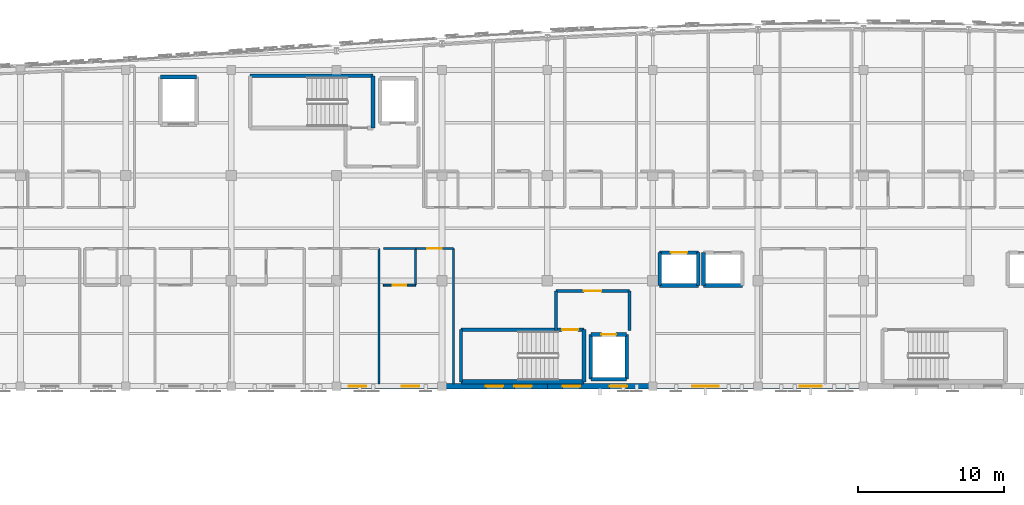
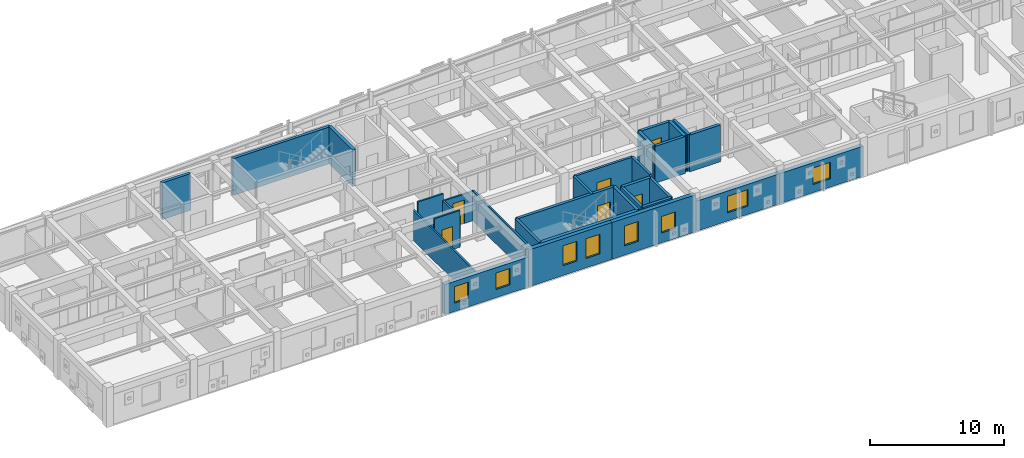
# One storey, part 59 of 73: 31 walls, 8 windows, 6 doors, 14 openings.
"""IFC4 building model written with IfcOpenShell, lengths in metres."""

from ifc_helpers import new_model, si_unit, direction, frame, frame_2d, origin, place, context, subcontext, project, spatial, rectangle, extrude, material, layer, layer_set, type_object, element, fill, save


model = new_model("IFC4")

# Units and contexts
model_context = context("Model", 3, precision=1e-05, world=origin(), true_north=direction((0.0, 1.0)))
body_context = subcontext(model_context, "Body", "Model", "MODEL_VIEW")
ifc_project = project(units=[si_unit("LENGTHUNIT", "METRE"), si_unit("AREAUNIT", "SQUARE_METRE"), si_unit("VOLUMEUNIT", "CUBIC_METRE"), si_unit("PLANEANGLEUNIT", "RADIAN"), si_unit("MASSUNIT", "GRAM", prefix="KILO")], contexts=[model_context])

# Site, building, storey
site_placement = place(None, origin())
site = spatial("IfcSite", under=ifc_project, at=site_placement, CompositionType="ELEMENT")
building_placement = place(site_placement, origin())
building = spatial("IfcBuilding", under=site, at=building_placement, Name="Carrowvane Square Congress Hotel", CompositionType="ELEMENT")
storey_placement = place(building_placement, frame((0.0, 0.0, 19.199951171875)))
storey = spatial("IfcBuildingStorey", under=building, at=storey_placement, Name="L04", CompositionType="ELEMENT", Elevation=19.199951171875)

# Wall, opening, window
ifc_material_1 = material(Name="Glazed terracotta rainscreen", Category="masonry")
ifc_layer_1 = layer(ifc_material_1, 0.360107421875)
ifc_layer_set_1 = layer_set([ifc_layer_1], Name="Glazed terracotta rainscreen")
wall_type_1 = type_object("IfcWallType", Name="WL-EXT-TC360", PredefinedType="STANDARD", material=ifc_layer_set_1)
wall_1_placement = place(storey_placement, frame((98.0, 91.800048828125, 0.0), z_axis=(0.0, 0.0, 1.0), x_axis=(-1.0, 0.0, 0.0)))
wall_1 = element("IfcWall", 1, at=wall_1_placement, inside=storey, type_object=wall_type_1, Name="L04 exterior facade wall 442", PredefinedType="STANDARD", context=body_context, shape_type="SweptSolid", body=[
    extrude(rectangle(XDim=7.199951171875, YDim=0.360107421875, at=frame_2d((3.60009765625, 0.0))), origin(), (0.0, 0.0, 1.0), 2.735107421875),
])
opening_1_placement = place(wall_1_placement, frame((2.85009765625, 0.0, 0.75)))
opening_1 = element("IfcOpeningElement", 2, at=opening_1_placement, cuts=wall_1, Name="Opening W-15", PredefinedType="OPENING", context=body_context, shape_type="SweptSolid", body=[
    extrude(rectangle(XDim=1.5, YDim=1.5, at=frame_2d((0.75, 0.75))), frame((0.0, 0.18994140625, 0.0), z_axis=(0.0, -1.0, 0.0), x_axis=(1.0, 0.0, 0.0)), (0.0, 0.0, 1.0), 0.380126953125),
])
ifc_material_2 = material(Name="Double-glazed low-E glass", Category="glass")
window_type_1 = type_object("IfcWindowType", Name="WIN-15", PartitioningType="SINGLE_PANEL", PredefinedType="WINDOW", material=ifc_material_2)
window_1_placement = place(opening_1_placement, origin())
window_1 = element("IfcWindow", 3, at=window_1_placement, inside=storey, type_object=window_type_1, Name="L04 facade window 271", OverallHeight=1.5, OverallWidth=1.5, PartitioningType="SINGLE_PANEL", PredefinedType="WINDOW", context=body_context, shape_type="SweptSolid", body=[
    extrude(rectangle(XDim=1.5, YDim=1.5, at=frame_2d((0.75, 0.75))), frame((0.0, 0.030029296875, 0.0), z_axis=(0.0, -1.0, 0.0), x_axis=(1.0, 0.0, 0.0)), (0.0, 0.0, 1.0), 0.06005859375),
])
fill(opening_1, window_1)

wall_2_placement = place(storey_placement, frame((90.800048828125, 91.800048828125, 0.0), z_axis=(0.0, 0.0, 1.0), x_axis=(-1.0, 0.0, 0.0)))
wall_2 = element("IfcWall", 4, at=wall_2_placement, inside=storey, type_object=wall_type_1, Name="L04 exterior facade wall 443", PredefinedType="STANDARD", context=body_context, shape_type="SweptSolid", body=[
    extrude(rectangle(XDim=7.199951171875, YDim=0.360107421875, at=frame_2d((3.60009765625, 0.0))), origin(), (0.0, 0.0, 1.0), 2.735107421875),
])
opening_2_placement = place(wall_2_placement, frame((2.699951171875, 0.0, 0.75)))
opening_2 = element("IfcOpeningElement", 5, at=opening_2_placement, cuts=wall_2, Name="Opening W-16", PredefinedType="OPENING", context=body_context, shape_type="SweptSolid", body=[
    extrude(rectangle(XDim=1.800048828125, YDim=1.5, at=frame_2d((0.89990234375, 0.75))), frame((0.0, 0.18994140625, 0.0), z_axis=(0.0, -1.0, 0.0), x_axis=(1.0, 0.0, 0.0)), (0.0, 0.0, 1.0), 0.380126953125),
])
ifc_material_3 = material(Name="Double-glazed low-E glass", Category="glass")
window_type_2 = type_object("IfcWindowType", Name="WIN-16", PartitioningType="SINGLE_PANEL", PredefinedType="WINDOW", material=ifc_material_3)
window_2_placement = place(opening_2_placement, origin())
window_2 = element("IfcWindow", 6, at=window_2_placement, inside=storey, type_object=window_type_2, Name="L04 facade window 272", OverallHeight=1.5, OverallWidth=1.800048828125, PartitioningType="SINGLE_PANEL", PredefinedType="WINDOW", context=body_context, shape_type="SweptSolid", body=[
    extrude(rectangle(XDim=1.800048828125, YDim=1.5, at=frame_2d((0.89990234375, 0.75))), frame((0.0, 0.030029296875, 0.0), z_axis=(0.0, -1.0, 0.0), x_axis=(1.0, 0.0, 0.0)), (0.0, 0.0, 1.0), 0.06005859375),
])
fill(opening_2, window_2)

# Wall, openings, windows
wall_3_placement = place(storey_placement, frame((83.60009765625, 91.800048828125, 0.0), z_axis=(0.0, 0.0, 1.0), x_axis=(-1.0, 0.0, 0.0)))
wall_3 = element("IfcWall", 7, at=wall_3_placement, inside=storey, type_object=wall_type_1, Name="L04 exterior facade wall 444", PredefinedType="STANDARD", context=body_context, shape_type="SweptSolid", body=[
    extrude(rectangle(XDim=7.2001953125, YDim=0.360107421875, at=frame_2d((3.60009765625, 0.0))), origin(), (0.0, 0.0, 1.0), 3.35009765625),
])
opening_3_placement = place(wall_3_placement, frame((1.75, 0.0, 0.89990234375)))
opening_3 = element("IfcOpeningElement", 8, at=opening_3_placement, cuts=wall_3, Name="Opening W-01", PredefinedType="OPENING", context=body_context, shape_type="SweptSolid", body=[
    extrude(rectangle(XDim=1.199951171875, YDim=1.5, at=frame_2d((0.60009765625, 0.75))), frame((0.0, 0.18994140625, 0.0), z_axis=(0.0, -1.0, 0.0), x_axis=(1.0, 0.0, 0.0)), (0.0, 0.0, 1.0), 0.380126953125),
])
opening_4_placement = place(wall_3_placement, frame((4.949951171875, 0.0, 0.85009765625)))
opening_4 = element("IfcOpeningElement", 9, at=opening_4_placement, cuts=wall_3, Name="Opening W-01", PredefinedType="OPENING", context=body_context, shape_type="SweptSolid", body=[
    extrude(rectangle(XDim=1.199951171875, YDim=1.800048828125, at=frame_2d((0.60009765625, 0.89990234375))), frame((0.0, 0.18994140625, 0.0), z_axis=(0.0, -1.0, 0.0), x_axis=(1.0, 0.0, 0.0)), (0.0, 0.0, 1.0), 0.380126953125),
])
ifc_material_4 = material(Name="Double-glazed low-E glass", Category="glass")
window_type_3 = type_object("IfcWindowType", Name="WIN-01", PartitioningType="SINGLE_PANEL", PredefinedType="WINDOW", material=ifc_material_4)
window_3_placement = place(opening_3_placement, origin())
window_3 = element("IfcWindow", 10, at=window_3_placement, inside=storey, type_object=window_type_3, Name="L04 facade window 273", OverallHeight=1.5, OverallWidth=1.199951171875, PartitioningType="SINGLE_PANEL", PredefinedType="WINDOW", context=body_context, shape_type="SweptSolid", body=[
    extrude(rectangle(XDim=1.199951171875, YDim=1.5, at=frame_2d((0.60009765625, 0.75))), frame((0.0, 0.030029296875, 0.0), z_axis=(0.0, -1.0, 0.0), x_axis=(1.0, 0.0, 0.0)), (0.0, 0.0, 1.0), 0.06005859375),
])
fill(opening_3, window_3)
window_4_placement = place(opening_4_placement, origin())
window_4 = element("IfcWindow", 11, at=window_4_placement, inside=storey, type_object=window_type_3, Name="L04 guest bedroom window 274", OverallHeight=1.800048828125, OverallWidth=1.199951171875, PartitioningType="SINGLE_PANEL", PredefinedType="WINDOW", context=body_context, shape_type="SweptSolid", body=[
    extrude(rectangle(XDim=1.199951171875, YDim=1.800048828125, at=frame_2d((0.60009765625, 0.89990234375))), frame((0.0, 0.030029296875, 0.0), z_axis=(0.0, -1.0, 0.0), x_axis=(1.0, 0.0, 0.0)), (0.0, 0.0, 1.0), 0.06005859375),
])
fill(opening_4, window_4)

wall_4_placement = place(storey_placement, frame((76.39990234375, 91.800048828125, 0.0), z_axis=(0.0, 0.0, 1.0), x_axis=(-1.0, 0.0, 0.0)))
wall_4 = element("IfcWall", 12, at=wall_4_placement, inside=storey, type_object=wall_type_1, Name="L04 exterior facade wall 445", PredefinedType="STANDARD", context=body_context, shape_type="SweptSolid", body=[
    extrude(rectangle(XDim=7.199951171875, YDim=0.360107421875, at=frame_2d((3.60009765625, 0.0))), origin(), (0.0, 0.0, 1.0), 3.35009765625),
])
opening_5_placement = place(wall_4_placement, frame((3.0, 0.0, 0.89990234375)))
opening_5 = element("IfcOpeningElement", 13, at=opening_5_placement, cuts=wall_4, Name="Opening W-01", PredefinedType="OPENING", context=body_context, shape_type="SweptSolid", body=[
    extrude(rectangle(XDim=1.199951171875, YDim=1.800048828125, at=frame_2d((0.60009765625, 0.89990234375))), frame((0.0, 0.18994140625, 0.0), z_axis=(0.0, -1.0, 0.0), x_axis=(1.0, 0.0, 0.0)), (0.0, 0.0, 1.0), 0.380126953125),
])
opening_6_placement = place(wall_4_placement, frame((1.050048828125, 0.0, 0.85009765625)))
opening_6 = element("IfcOpeningElement", 14, at=opening_6_placement, cuts=wall_4, Name="Opening W-01", PredefinedType="OPENING", context=body_context, shape_type="SweptSolid", body=[
    extrude(rectangle(XDim=1.199951171875, YDim=1.800048828125, at=frame_2d((0.60009765625, 0.89990234375))), frame((0.0, 0.18994140625, 0.0), z_axis=(0.0, -1.0, 0.0), x_axis=(1.0, 0.0, 0.0)), (0.0, 0.0, 1.0), 0.380126953125),
])
window_5_placement = place(opening_5_placement, origin())
window_5 = element("IfcWindow", 15, at=window_5_placement, inside=storey, type_object=window_type_3, Name="L04 facade window 275", OverallHeight=1.800048828125, OverallWidth=1.199951171875, PartitioningType="SINGLE_PANEL", PredefinedType="WINDOW", context=body_context, shape_type="SweptSolid", body=[
    extrude(rectangle(XDim=1.199951171875, YDim=1.800048828125, at=frame_2d((0.60009765625, 0.89990234375))), frame((0.0, 0.030029296875, 0.0), z_axis=(0.0, -1.0, 0.0), x_axis=(1.0, 0.0, 0.0)), (0.0, 0.0, 1.0), 0.06005859375),
])
fill(opening_5, window_5)
window_6_placement = place(opening_6_placement, origin())
window_6 = element("IfcWindow", 16, at=window_6_placement, inside=storey, type_object=window_type_3, Name="L04 guest bedroom window 276", OverallHeight=1.800048828125, OverallWidth=1.199951171875, PartitioningType="SINGLE_PANEL", PredefinedType="WINDOW", context=body_context, shape_type="SweptSolid", body=[
    extrude(rectangle(XDim=1.199951171875, YDim=1.800048828125, at=frame_2d((0.60009765625, 0.89990234375))), frame((0.0, 0.030029296875, 0.0), z_axis=(0.0, -1.0, 0.0), x_axis=(1.0, 0.0, 0.0)), (0.0, 0.0, 1.0), 0.06005859375),
])
fill(opening_6, window_6)

wall_5_placement = place(storey_placement, frame((69.199951171875, 91.800048828125, 0.0), z_axis=(0.0, 0.0, 1.0), x_axis=(-1.0, 0.0, 0.0)))
wall_5 = element("IfcWall", 17, at=wall_5_placement, inside=storey, type_object=wall_type_1, Name="L04 exterior facade wall 446", PredefinedType="STANDARD", context=body_context, shape_type="SweptSolid", body=[
    extrude(rectangle(XDim=7.199951171875, YDim=0.360107421875, at=frame_2d((3.60009765625, 0.0))), origin(), (0.0, 0.0, 1.0), 2.735107421875),
])
opening_7_placement = place(wall_5_placement, frame((1.554931640625, 0.0, 0.75)))
opening_7 = element("IfcOpeningElement", 18, at=opening_7_placement, cuts=wall_5, Name="Opening W-01", PredefinedType="OPENING", context=body_context, shape_type="SweptSolid", body=[
    extrude(rectangle(XDim=1.199951171875, YDim=1.5, at=frame_2d((0.60009765625, 0.75))), frame((0.0, 0.18994140625, 0.0), z_axis=(0.0, -1.0, 0.0), x_axis=(1.0, 0.0, 0.0)), (0.0, 0.0, 1.0), 0.380126953125),
])
opening_8_placement = place(wall_5_placement, frame((5.155029296875, 0.0, 0.75)))
opening_8 = element("IfcOpeningElement", 19, at=opening_8_placement, cuts=wall_5, Name="Opening W-01", PredefinedType="OPENING", context=body_context, shape_type="SweptSolid", body=[
    extrude(rectangle(XDim=1.199951171875, YDim=1.5, at=frame_2d((0.60009765625, 0.75))), frame((0.0, 0.18994140625, 0.0), z_axis=(0.0, -1.0, 0.0), x_axis=(1.0, 0.0, 0.0)), (0.0, 0.0, 1.0), 0.380126953125),
])
window_7_placement = place(opening_7_placement, origin())
window_7 = element("IfcWindow", 20, at=window_7_placement, inside=storey, type_object=window_type_3, Name="L04 facade window 278", OverallHeight=1.5, OverallWidth=1.199951171875, PartitioningType="SINGLE_PANEL", PredefinedType="WINDOW", context=body_context, shape_type="SweptSolid", body=[
    extrude(rectangle(XDim=1.199951171875, YDim=1.5, at=frame_2d((0.60009765625, 0.75))), frame((0.0, 0.030029296875, 0.0), z_axis=(0.0, -1.0, 0.0), x_axis=(1.0, 0.0, 0.0)), (0.0, 0.0, 1.0), 0.06005859375),
])
fill(opening_7, window_7)
window_8_placement = place(opening_8_placement, origin())
window_8 = element("IfcWindow", 21, at=window_8_placement, inside=storey, type_object=window_type_3, Name="L04 split-bay facade window WIN-L04-0278-1", OverallHeight=1.5, OverallWidth=1.199951171875, PartitioningType="SINGLE_PANEL", PredefinedType="WINDOW", context=body_context, shape_type="SweptSolid", body=[
    extrude(rectangle(XDim=1.199951171875, YDim=1.5, at=frame_2d((0.60009765625, 0.75))), frame((0.0, 0.030029296875, 0.0), z_axis=(0.0, -1.0, 0.0), x_axis=(1.0, 0.0, 0.0)), (0.0, 0.0, 1.0), 0.06005859375),
])
fill(opening_8, window_8)

# Wall
ifc_material_5 = material(Name="Acoustic gypsum board", Category="gypsum")
ifc_layer_2 = layer(ifc_material_5, 0.205078125)
ifc_layer_set_2 = layer_set([ifc_layer_2], Name="Acoustic gypsum board")
wall_type_2 = type_object("IfcWallType", Name="WL-FIR-205", PredefinedType="PARTITIONING", material=ifc_layer_set_2)
wall_6_placement = place(storey_placement, frame((82.0, 95.60009765625, 0.0), z_axis=(0.0, 0.0, 1.0), x_axis=(0.0, 1.0, 0.0)))
element("IfcWall", 22, at=wall_6_placement, inside=storey, type_object=wall_type_2, Name="L04 Firefighting Lobby C2 wall east", PredefinedType="PARTITIONING", context=body_context, shape_type="SweptSolid", body=[
    extrude(rectangle(XDim=2.699951171875, YDim=0.205078125, at=frame_2d((1.35009765625, 0.0))), origin(), (0.0, 0.0, 1.0), 3.35009765625),
])

# Wall, opening, door
wall_7_placement = place(storey_placement, frame((82.0, 98.300048828125, 0.0), z_axis=(0.0, 0.0, 1.0), x_axis=(-1.0, 0.0, 0.0)))
wall_7 = element("IfcWall", 23, at=wall_7_placement, inside=storey, type_object=wall_type_2, Name="L04 Firefighting Lobby C2 wall north", PredefinedType="PARTITIONING", context=body_context, shape_type="SweptSolid", body=[
    extrude(rectangle(XDim=5.0, YDim=0.205078125, at=frame_2d((2.5, 0.0))), origin(), (0.0, 0.0, 1.0), 3.35009765625),
])
opening_9_placement = place(wall_7_placement, frame((1.89990234375, 0.0, 0.0)))
opening_9 = element("IfcOpeningElement", 24, at=opening_9_placement, cuts=wall_7, Name="Opening FD-02", PredefinedType="OPENING", context=body_context, shape_type="SweptSolid", body=[
    extrude(rectangle(XDim=1.199951171875, YDim=2.10009765625, at=frame_2d((0.60009765625, 1.050048828125))), frame((0.0, 0.112548828125, 0.0), z_axis=(0.0, -1.0, 0.0), x_axis=(1.0, 0.0, 0.0)), (0.0, 0.0, 1.0), 0.22509765625),
])
ifc_material_6 = material(Name="European oak timber", Category="wood")
door_type_1 = type_object("IfcDoorType", Name="DR-FD60-1200x2100", OperationType="NOTDEFINED", PredefinedType="DOOR", material=ifc_material_6)
door_1_placement = place(opening_9_placement, origin())
door_1 = element("IfcDoor", 25, at=door_1_placement, inside=storey, type_object=door_type_1, Name="L04 Firefighting Lobby C2 entrance door", OperationType="SINGLE_SWING_RIGHT", OverallHeight=2.10009765625, OverallWidth=1.199951171875, PredefinedType="DOOR", context=body_context, shape_type="SweptSolid", body=[
    extrude(rectangle(XDim=1.199951171875, YDim=2.10009765625, at=frame_2d((0.60009765625, 1.050048828125))), frame((0.0, 0.02490234375, 0.0), z_axis=(0.0, -1.0, 0.0), x_axis=(1.0, 0.0, 0.0)), (0.0, 0.0, 1.0), 0.050048828125),
])
fill(opening_9, door_1)

# Wall
wall_8_placement = place(storey_placement, frame((77.0, 98.300048828125, 0.0), z_axis=(0.0, 0.0, 1.0), x_axis=(0.0, -1.0, 0.0)))
element("IfcWall", 26, at=wall_8_placement, inside=storey, type_object=wall_type_2, Name="L04 Firefighting Lobby C2 wall west", PredefinedType="PARTITIONING", context=body_context, shape_type="SweptSolid", body=[
    extrude(rectangle(XDim=2.699951171875, YDim=0.205078125, at=frame_2d((1.35009765625, 0.0))), origin(), (0.0, 0.0, 1.0), 3.35009765625),
])

# Wall, opening, door
ifc_material_7 = material(Name="Acoustic gypsum board", Category="gypsum")
ifc_layer_3 = layer(ifc_material_7, 0.1279296875)
ifc_layer_set_3 = layer_set([ifc_layer_3], Name="Acoustic gypsum board")
wall_type_3 = type_object("IfcWallType", Name="WL-PRT-128", PredefinedType="PARTITIONING", material=ifc_layer_set_3)
wall_9_placement = place(storey_placement, frame((67.39990234375, 98.699951171875, 0.0), z_axis=(0.0, 0.0, 1.0), x_axis=(-1.0, 0.0, 0.0)))
wall_9 = element("IfcWall", 27, at=wall_9_placement, inside=storey, type_object=wall_type_3, Name="L04 En-suite Bathroom 0405 partition", PredefinedType="PARTITIONING", context=body_context, shape_type="SweptSolid", body=[
    extrude(rectangle(XDim=2.199951171875, YDim=0.1279296875, at=frame_2d((1.10009765625, 0.0))), origin(), (0.0, 0.0, 1.0), 3.35009765625),
])
opening_10_placement = place(wall_9_placement, frame((0.639892578125, 0.0, 0.0)))
opening_10 = element("IfcOpeningElement", 28, at=opening_10_placement, cuts=wall_9, Name="Opening ID-03", PredefinedType="OPENING", context=body_context, shape_type="SweptSolid", body=[
    extrude(rectangle(XDim=0.919921875, YDim=2.10009765625, at=frame_2d((0.4599609375, 1.050048828125))), frame((0.0, 0.073974609375, 0.0), z_axis=(0.0, -1.0, 0.0), x_axis=(1.0, 0.0, 0.0)), (0.0, 0.0, 1.0), 0.14794921875),
])
ifc_material_8 = material(Name="European oak timber", Category="wood")
door_type_2 = type_object("IfcDoorType", Name="DR-INT-0920x2100", OperationType="NOTDEFINED", PredefinedType="DOOR", material=ifc_material_8)
door_2_placement = place(opening_10_placement, origin())
door_2 = element("IfcDoor", 29, at=door_2_placement, inside=storey, type_object=door_type_2, Name="L04 En-suite Bathroom 0405 door", OperationType="SINGLE_SWING_LEFT", OverallHeight=2.10009765625, OverallWidth=0.919921875, PredefinedType="DOOR", context=body_context, shape_type="SweptSolid", body=[
    extrude(rectangle(XDim=0.919921875, YDim=2.10009765625, at=frame_2d((0.4599609375, 1.050048828125))), frame((0.0, 0.02490234375, 0.0), z_axis=(0.0, -1.0, 0.0), x_axis=(1.0, 0.0, 0.0)), (0.0, 0.0, 1.0), 0.050048828125),
])
fill(opening_10, door_2)

# Wall
ifc_material_9 = material(Name="Acoustic gypsum board", Category="gypsum")
ifc_layer_4 = layer(ifc_material_9, 0.137939453125)
ifc_layer_set_4 = layer_set([ifc_layer_4], Name="Acoustic gypsum board")
wall_type_4 = type_object("IfcWallType", Name="WL-PRT-138", PredefinedType="PARTITIONING", material=ifc_layer_set_4)
wall_10_placement = place(storey_placement, frame((67.39990234375, 101.199951171875, 0.0), z_axis=(0.0, 0.0, 1.0), x_axis=(0.0, -1.0, 0.0)))
element("IfcWall", 30, at=wall_10_placement, inside=storey, type_object=wall_type_4, Name="L04 En-suite Bathroom 0405 partition", PredefinedType="PARTITIONING", context=body_context, shape_type="SweptSolid", body=[
    extrude(rectangle(XDim=2.5, YDim=0.137939453125, at=frame_2d((1.25, 0.0))), origin(), (0.0, 0.0, 1.0), 2.735107421875),
])

# Wall, opening, door
wall_11_placement = place(storey_placement, frame((67.409912109375, 101.199951171875, 0.0), z_axis=(0.0, 0.0, 1.0), x_axis=(1.0, 0.0, 0.0)))
wall_11 = element("IfcWall", 31, at=wall_11_placement, inside=storey, type_object=wall_type_4, Name="L04 Hotel Guest Bedroom 0405 partition", PredefinedType="PARTITIONING", context=body_context, shape_type="SweptSolid", body=[
    extrude(rectangle(XDim=2.580078125, YDim=0.137939453125, at=frame_2d((1.2900390625, 0.0))), origin(), (0.0, 0.0, 1.0), 2.68505859375),
])
opening_11_placement = place(wall_11_placement, frame((0.800048828125, 0.0, 0.0)))
opening_11 = element("IfcOpeningElement", 32, at=opening_11_placement, cuts=wall_11, Name="Opening FD-07", PredefinedType="OPENING", context=body_context, shape_type="SweptSolid", body=[
    extrude(rectangle(XDim=0.97998046875, YDim=2.14990234375, at=frame_2d((0.489990234375, 1.074951171875))), frame((0.0, 0.078857421875, 0.0), z_axis=(0.0, -1.0, 0.0), x_axis=(1.0, 0.0, 0.0)), (0.0, 0.0, 1.0), 0.157958984375),
])
ifc_material_10 = material(Name="European oak timber", Category="wood")
door_type_3 = type_object("IfcDoorType", Name="DR-FD30-0980x2150", OperationType="NOTDEFINED", PredefinedType="DOOR", material=ifc_material_10)
door_3_placement = place(opening_11_placement, origin())
door_3 = element("IfcDoor", 33, at=door_3_placement, inside=storey, type_object=door_type_3, Name="L04 Hotel Guest Bedroom 0405 entrance door", OperationType="SINGLE_SWING_RIGHT", OverallHeight=2.14990234375, OverallWidth=0.97998046875, PredefinedType="DOOR", context=body_context, shape_type="SweptSolid", body=[
    extrude(rectangle(XDim=0.97998046875, YDim=2.14990234375, at=frame_2d((0.489990234375, 1.074951171875))), frame((0.0, 0.02490234375, 0.0), z_axis=(0.0, -1.0, 0.0), x_axis=(1.0, 0.0, 0.0)), (0.0, 0.0, 1.0), 0.050048828125),
])
fill(opening_11, door_3)

# Walls
ifc_material_11 = material(Name="Acoustic gypsum board", Category="gypsum")
ifc_layer_5 = layer(ifc_material_11, 0.14794921875)
ifc_layer_set_5 = layer_set([ifc_layer_5], Name="Acoustic gypsum board")
wall_type_5 = type_object("IfcWallType", Name="WL-PRT-148", PredefinedType="PARTITIONING", material=ifc_layer_set_5)
wall_12_placement = place(storey_placement, frame((64.889892578125, 101.199951171875, 0.0), z_axis=(0.0, 0.0, 1.0), x_axis=(0.0, -1.0, 0.0)))
element("IfcWall", 34, at=wall_12_placement, inside=storey, type_object=wall_type_5, Name="L04 Hotel Guest Bedroom 0404 partition", PredefinedType="PARTITIONING", context=body_context, shape_type="SweptSolid", body=[
    extrude(rectangle(XDim=9.239990234375, YDim=0.14794921875, at=frame_2d((4.6201171875, 0.0))), origin(), (0.0, 0.0, 1.0), 2.735107421875),
])
wall_13_placement = place(storey_placement, frame((65.199951171875, 101.199951171875, 0.0), z_axis=(0.0, 0.0, 1.0), x_axis=(1.0, 0.0, 0.0)))
element("IfcWall", 35, at=wall_13_placement, inside=storey, type_object=wall_type_5, Name="L04 En-suite Bathroom 0405 partition", PredefinedType="PARTITIONING", context=body_context, shape_type="SweptSolid", body=[
    extrude(rectangle(XDim=2.199951171875, YDim=0.14794921875, at=frame_2d((1.10009765625, 0.0))), origin(), (0.0, 0.0, 1.0), 3.35009765625),
])
wall_14_placement = place(storey_placement, frame((69.989990234375, 101.199951171875, 0.0), z_axis=(0.0, 0.0, 1.0), x_axis=(0.0, -1.0, 0.0)))
element("IfcWall", 36, at=wall_14_placement, inside=storey, type_object=wall_type_5, Name="L04 Hotel Guest Bedroom 0405 partition", PredefinedType="PARTITIONING", context=body_context, shape_type="SweptSolid", body=[
    extrude(rectangle(XDim=9.239990234375, YDim=0.14794921875, at=frame_2d((4.6201171875, 0.0))), origin(), (0.0, 0.0, 1.0), 2.735107421875),
])
ifc_material_12 = material(Name="Concrete C40/50", Category="concrete")
ifc_layer_6 = layer(ifc_material_12, 0.22509765625)
ifc_layer_set_6 = layer_set([ifc_layer_6], Name="Concrete C40/50")
wall_type_6 = type_object("IfcWallType", Name="WL-SHR-225", PredefinedType="SHEAR", material=ifc_layer_set_6)
wall_15_placement = place(storey_placement, frame((70.5, 95.659912109375, 0.0), z_axis=(0.0, 0.0, 1.0), x_axis=(0.0, -1.0, 0.0)))
element("IfcWall", 37, at=wall_15_placement, inside=storey, type_object=wall_type_6, Name="L04 ST2 core wall west", PredefinedType="SHEAR", context=body_context, shape_type="SweptSolid", body=[
    extrude(rectangle(XDim=3.559814453125, YDim=0.22509765625, at=frame_2d((1.77978515625, 0.0))), origin(), (0.0, 0.0, 1.0), 3.35009765625),
])
ifc_material_13 = material(Name="Concrete C40/50", Category="concrete")
ifc_layer_7 = layer(ifc_material_13, 0.25)
ifc_layer_set_7 = layer_set([ifc_layer_7], Name="Concrete C40/50")
wall_type_7 = type_object("IfcWallType", Name="WL-SHR-250", PredefinedType="SHEAR", material=ifc_layer_set_7)
wall_16_placement = place(storey_placement, frame((64.5, 113.0, 0.0), z_axis=(0.0, 0.0, 1.0), x_axis=(-1.0, 0.0, 0.0)))
element("IfcWall", 38, at=wall_16_placement, inside=storey, type_object=wall_type_7, Name="L04 ST1 core wall north", PredefinedType="SHEAR", context=body_context, shape_type="SweptSolid", body=[
    extrude(rectangle(XDim=8.39990234375, YDim=0.25, at=frame_2d((4.199951171875, 0.0))), origin(), (0.0, 0.0, 1.0), 3.35009765625),
])

# Wall, opening, door
wall_17_placement = place(storey_placement, frame((78.89990234375, 95.659912109375, 0.0), z_axis=(0.0, 0.0, 1.0), x_axis=(-1.0, 0.0, 0.0)))
wall_17 = element("IfcWall", 39, at=wall_17_placement, inside=storey, type_object=wall_type_7, Name="L04 ST2 core wall north", PredefinedType="SHEAR", context=body_context, shape_type="SweptSolid", body=[
    extrude(rectangle(XDim=8.39990234375, YDim=0.25, at=frame_2d((4.199951171875, 0.0))), origin(), (0.0, 0.0, 1.0), 3.35009765625),
])
opening_12_placement = place(wall_17_placement, frame((0.389892578125, 0.0, 0.0)))
opening_12 = element("IfcOpeningElement", 40, at=opening_12_placement, cuts=wall_17, Name="Opening FD-01", PredefinedType="OPENING", context=body_context, shape_type="SweptSolid", body=[
    extrude(rectangle(XDim=1.10009765625, YDim=2.10009765625, at=frame_2d((0.550048828125, 1.050048828125))), frame((0.0, 0.135009765625, 0.0), z_axis=(0.0, -1.0, 0.0), x_axis=(1.0, 0.0, 0.0)), (0.0, 0.0, 1.0), 0.27001953125),
])
ifc_material_14 = material(Name="European oak timber", Category="wood")
door_type_4 = type_object("IfcDoorType", Name="DR-FD60-1100x2100", OperationType="NOTDEFINED", PredefinedType="DOOR", material=ifc_material_14)
door_4_placement = place(opening_12_placement, origin())
door_4 = element("IfcDoor", 41, at=door_4_placement, inside=storey, type_object=door_type_4, Name="L04 ST2 fire door", OperationType="SINGLE_SWING_LEFT", OverallHeight=2.10009765625, OverallWidth=1.10009765625, PredefinedType="DOOR", context=body_context, shape_type="SweptSolid", body=[
    extrude(rectangle(XDim=1.10009765625, YDim=2.10009765625, at=frame_2d((0.550048828125, 1.050048828125))), frame((0.0, 0.02490234375, 0.0), z_axis=(0.0, -1.0, 0.0), x_axis=(1.0, 0.0, 0.0)), (0.0, 0.0, 1.0), 0.050048828125),
])
fill(opening_12, door_4)

# Walls
wall_18_placement = place(storey_placement, frame((79.375, 92.27490234375, 0.0), z_axis=(0.0, 0.0, 1.0), x_axis=(1.0, 0.0, 0.0)))
element("IfcWall", 42, at=wall_18_placement, inside=storey, type_object=wall_type_7, Name="L04 FFL-2 shaft wall south", PredefinedType="SHEAR", context=body_context, shape_type="SweptSolid", body=[
    extrude(rectangle(XDim=2.449951171875, YDim=0.25, at=frame_2d((1.22509765625, 0.0))), origin(), (0.0, 0.0, 1.0), 3.35009765625),
])
wall_19_placement = place(storey_placement, frame((81.824951171875, 92.27490234375, 0.0), z_axis=(0.0, 0.0, 1.0), x_axis=(0.0, 1.0, 0.0)))
element("IfcWall", 43, at=wall_19_placement, inside=storey, type_object=wall_type_7, Name="L04 FFL-2 shaft wall east", PredefinedType="SHEAR", context=body_context, shape_type="SweptSolid", body=[
    extrude(rectangle(XDim=3.050048828125, YDim=0.25, at=frame_2d((1.52490234375, 0.0))), origin(), (0.0, 0.0, 1.0), 3.35009765625),
])

# Wall, opening, door
wall_20_placement = place(storey_placement, frame((81.824951171875, 95.324951171875, 0.0), z_axis=(0.0, 0.0, 1.0), x_axis=(-1.0, 0.0, 0.0)))
wall_20 = element("IfcWall", 44, at=wall_20_placement, inside=storey, type_object=wall_type_7, Name="L04 FFL-2 shaft wall north", PredefinedType="SHEAR", context=body_context, shape_type="SweptSolid", body=[
    extrude(rectangle(XDim=2.449951171875, YDim=0.25, at=frame_2d((1.22509765625, 0.0))), origin(), (0.0, 0.0, 1.0), 3.35009765625),
])
opening_13_placement = place(wall_20_placement, frame((0.72509765625, 0.0, 0.0)))
opening_13 = element("IfcOpeningElement", 45, at=opening_13_placement, cuts=wall_20, Name="Opening LD-FFL-2", PredefinedType="OPENING", context=body_context, shape_type="SweptSolid", body=[
    extrude(rectangle(XDim=1.0, YDim=2.14990234375, at=frame_2d((0.5, 1.074951171875))), frame((0.0, 0.135009765625, 0.0), z_axis=(0.0, -1.0, 0.0), x_axis=(1.0, 0.0, 0.0)), (0.0, 0.0, 1.0), 0.27001953125),
])
ifc_material_15 = material(Name="Stainless steel 316", Category="steel")
door_type_5 = type_object("IfcDoorType", Name="DR-LD-1000x2150", OperationType="DOUBLE_DOOR_SLIDING", PredefinedType="DOOR", material=ifc_material_15)
door_5_placement = place(opening_13_placement, origin())
door_5 = element("IfcDoor", 46, at=door_5_placement, inside=storey, type_object=door_type_5, Name="L04 FFL-2 sliding lift landing door", OperationType="DOUBLE_DOOR_SLIDING", OverallHeight=2.14990234375, OverallWidth=1.0, PredefinedType="DOOR", context=body_context, shape_type="SweptSolid", body=[
    extrude(rectangle(XDim=1.0, YDim=2.14990234375, at=frame_2d((0.5, 1.074951171875))), frame((0.0, 0.02490234375, 0.0), z_axis=(0.0, -1.0, 0.0), x_axis=(1.0, 0.0, 0.0)), (0.0, 0.0, 1.0), 0.050048828125),
])
fill(opening_13, door_5)

# Walls
wall_21_placement = place(storey_placement, frame((79.375, 95.324951171875, 0.0), z_axis=(0.0, 0.0, 1.0), x_axis=(0.0, -1.0, 0.0)))
element("IfcWall", 47, at=wall_21_placement, inside=storey, type_object=wall_type_7, Name="L04 FFL-2 shaft wall west", PredefinedType="SHEAR", context=body_context, shape_type="SweptSolid", body=[
    extrude(rectangle(XDim=3.050048828125, YDim=0.25, at=frame_2d((1.52490234375, 0.0))), origin(), (0.0, 0.0, 1.0), 3.35009765625),
])
wall_22_placement = place(storey_placement, frame((84.074951171875, 98.675048828125, 0.0), z_axis=(0.0, 0.0, 1.0), x_axis=(1.0, 0.0, 0.0)))
element("IfcWall", 48, at=wall_22_placement, inside=storey, type_object=wall_type_7, Name="L04 HL-1 shaft wall south", PredefinedType="SHEAR", context=body_context, shape_type="SweptSolid", body=[
    extrude(rectangle(XDim=2.650146484375, YDim=0.25, at=frame_2d((1.3251953125, 0.0))), origin(), (0.0, 0.0, 1.0), 3.35009765625),
])
wall_23_placement = place(storey_placement, frame((86.72509765625, 98.675048828125, 0.0), z_axis=(0.0, 0.0, 1.0), x_axis=(0.0, 1.0, 0.0)))
element("IfcWall", 49, at=wall_23_placement, inside=storey, type_object=wall_type_7, Name="L04 HL-1 shaft wall east", PredefinedType="SHEAR", context=body_context, shape_type="SweptSolid", body=[
    extrude(rectangle(XDim=2.25, YDim=0.25, at=frame_2d((1.125, 0.0))), origin(), (0.0, 0.0, 1.0), 3.35009765625),
])

# Wall, opening, door
wall_24_placement = place(storey_placement, frame((86.72509765625, 100.925048828125, 0.0), z_axis=(0.0, 0.0, 1.0), x_axis=(-1.0, 0.0, 0.0)))
wall_24 = element("IfcWall", 50, at=wall_24_placement, inside=storey, type_object=wall_type_7, Name="L04 HL-1 shaft wall north", PredefinedType="SHEAR", context=body_context, shape_type="SweptSolid", body=[
    extrude(rectangle(XDim=2.650146484375, YDim=0.25, at=frame_2d((1.3251953125, 0.0))), origin(), (0.0, 0.0, 1.0), 3.35009765625),
])
opening_14_placement = place(wall_24_placement, frame((0.77490234375, 0.0, 0.0)))
opening_14 = element("IfcOpeningElement", 51, at=opening_14_placement, cuts=wall_24, Name="Opening LD-HL-1", PredefinedType="OPENING", context=body_context, shape_type="SweptSolid", body=[
    extrude(rectangle(XDim=1.10009765625, YDim=2.14990234375, at=frame_2d((0.550048828125, 1.074951171875))), frame((0.0, 0.135009765625, 0.0), z_axis=(0.0, -1.0, 0.0), x_axis=(1.0, 0.0, 0.0)), (0.0, 0.0, 1.0), 0.27001953125),
])
ifc_material_16 = material(Name="Stainless steel 316", Category="steel")
door_type_6 = type_object("IfcDoorType", Name="DR-LD-1100x2150", OperationType="DOUBLE_DOOR_SLIDING", PredefinedType="DOOR", material=ifc_material_16)
door_6_placement = place(opening_14_placement, origin())
door_6 = element("IfcDoor", 52, at=door_6_placement, inside=storey, type_object=door_type_6, Name="L04 HL-1 sliding lift landing door", OperationType="DOUBLE_DOOR_SLIDING", OverallHeight=2.14990234375, OverallWidth=1.10009765625, PredefinedType="DOOR", context=body_context, shape_type="SweptSolid", body=[
    extrude(rectangle(XDim=1.10009765625, YDim=2.14990234375, at=frame_2d((0.550048828125, 1.074951171875))), frame((0.0, 0.02490234375, 0.0), z_axis=(0.0, -1.0, 0.0), x_axis=(1.0, 0.0, 0.0)), (0.0, 0.0, 1.0), 0.050048828125),
])
fill(opening_14, door_6)

# Walls
wall_25_placement = place(storey_placement, frame((84.074951171875, 100.925048828125, 0.0), z_axis=(0.0, 0.0, 1.0), x_axis=(0.0, -1.0, 0.0)))
element("IfcWall", 53, at=wall_25_placement, inside=storey, type_object=wall_type_7, Name="L04 HL-1 shaft wall west", PredefinedType="SHEAR", context=body_context, shape_type="SweptSolid", body=[
    extrude(rectangle(XDim=2.25, YDim=0.25, at=frame_2d((1.125, 0.0))), origin(), (0.0, 0.0, 1.0), 3.35009765625),
])
wall_26_placement = place(storey_placement, frame((87.074951171875, 98.675048828125, 0.0), z_axis=(0.0, 0.0, 1.0), x_axis=(1.0, 0.0, 0.0)))
element("IfcWall", 54, at=wall_26_placement, inside=storey, type_object=wall_type_7, Name="L04 HL-2 shaft wall south", PredefinedType="SHEAR", context=body_context, shape_type="SweptSolid", body=[
    extrude(rectangle(XDim=2.650146484375, YDim=0.25, at=frame_2d((1.3251953125, 0.0))), origin(), (0.0, 0.0, 1.0), 3.35009765625),
])
wall_27_placement = place(storey_placement, frame((87.074951171875, 100.925048828125, 0.0), z_axis=(0.0, 0.0, 1.0), x_axis=(0.0, -1.0, 0.0)))
element("IfcWall", 55, at=wall_27_placement, inside=storey, type_object=wall_type_7, Name="L04 HL-2 shaft wall west", PredefinedType="SHEAR", context=body_context, shape_type="SweptSolid", body=[
    extrude(rectangle(XDim=2.25, YDim=0.25, at=frame_2d((1.125, 0.0))), origin(), (0.0, 0.0, 1.0), 3.35009765625),
])
wall_28_placement = place(storey_placement, frame((52.425048828125, 112.925048828125, 0.0), z_axis=(0.0, 0.0, 1.0), x_axis=(-1.0, 0.0, 0.0)))
element("IfcWall", 56, at=wall_28_placement, inside=storey, type_object=wall_type_7, Name="L04 SL-1 shaft wall north", PredefinedType="SHEAR", context=body_context, shape_type="SweptSolid", body=[
    extrude(rectangle(XDim=2.449951171875, YDim=0.25, at=frame_2d((1.22509765625, 0.0))), origin(), (0.0, 0.0, 1.0), 3.35009765625),
])
ifc_material_17 = material(Name="Concrete C40/50", Category="concrete")
ifc_layer_8 = layer(ifc_material_17, 0.27490234375)
ifc_layer_set_8 = layer_set([ifc_layer_8], Name="Concrete C40/50")
wall_type_8 = type_object("IfcWallType", Name="WL-SHR-275", PredefinedType="SHEAR", material=ifc_layer_set_8)
wall_29_placement = place(storey_placement, frame((64.5, 109.43994140625, 0.0), z_axis=(0.0, 0.0, 1.0), x_axis=(0.0, 1.0, 0.0)))
element("IfcWall", 57, at=wall_29_placement, inside=storey, type_object=wall_type_8, Name="L04 ST1 core wall east", PredefinedType="SHEAR", context=body_context, shape_type="SweptSolid", body=[
    extrude(rectangle(XDim=3.56005859375, YDim=0.27490234375, at=frame_2d((1.780029296875, 0.0))), origin(), (0.0, 0.0, 1.0), 3.35009765625),
])
wall_30_placement = place(storey_placement, frame((78.89990234375, 92.10009765625, 0.0), z_axis=(0.0, 0.0, 1.0), x_axis=(0.0, 1.0, 0.0)))
element("IfcWall", 58, at=wall_30_placement, inside=storey, type_object=wall_type_8, Name="L04 ST2 core wall east", PredefinedType="SHEAR", context=body_context, shape_type="SweptSolid", body=[
    extrude(rectangle(XDim=3.559814453125, YDim=0.27490234375, at=frame_2d((1.77978515625, 0.0))), origin(), (0.0, 0.0, 1.0), 3.35009765625),
])
ifc_material_18 = material(Name="Concrete C40/50", Category="concrete")
ifc_layer_9 = layer(ifc_material_18, 0.300048828125)
ifc_layer_set_9 = layer_set([ifc_layer_9], Name="Concrete C40/50")
wall_type_9 = type_object("IfcWallType", Name="WL-SHR-300", PredefinedType="SHEAR", material=ifc_layer_set_9)
wall_31_placement = place(storey_placement, frame((70.5, 92.10009765625, 0.0), z_axis=(0.0, 0.0, 1.0), x_axis=(1.0, 0.0, 0.0)))
element("IfcWall", 59, at=wall_31_placement, inside=storey, type_object=wall_type_9, Name="L04 ST2 core wall south", PredefinedType="SHEAR", context=body_context, shape_type="SweptSolid", body=[
    extrude(rectangle(XDim=8.39990234375, YDim=0.300048828125, at=frame_2d((4.199951171875, 0.0))), origin(), (0.0, 0.0, 1.0), 3.35009765625),
])

save(model, "model.ifc")
